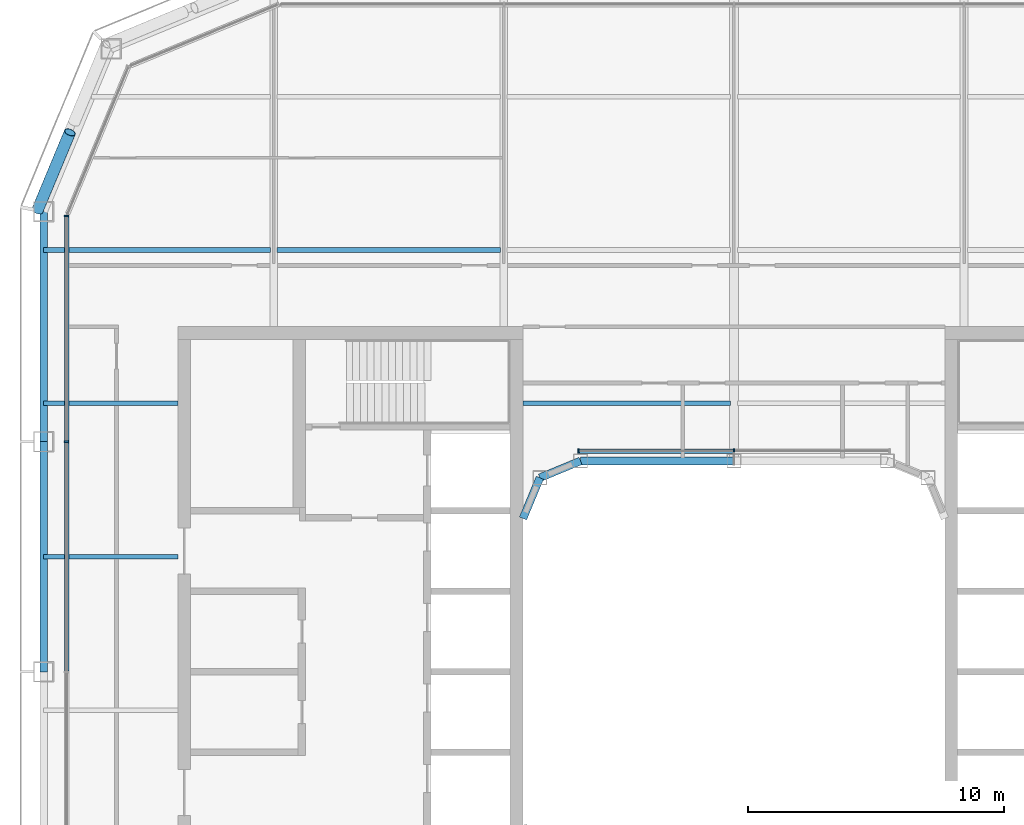
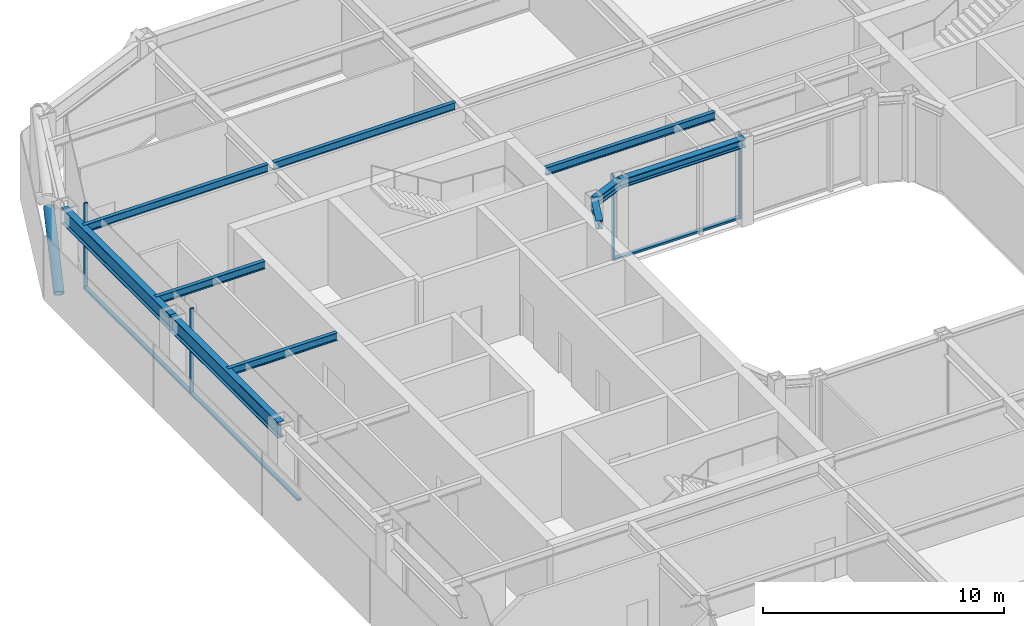
# One storey, part 6 of 19: 10 beams, 8 members, 2 elements without a shape of their own.
"""IFC4 building model written with IfcOpenShell, lengths in metres."""

from ifc_helpers import new_model, si_unit, direction, frame, origin, origin_2d, place, context, subcontext, project, spatial, rectangle, hollow_circle, i_section, extrude, material, layer, layer_set, material_profile, profile_set, type_object, element, aggregate, save


model = new_model("IFC4")

# Units and contexts
model_context = context("Model", 3, precision=1e-05, world=origin(), true_north=direction((0.0, 1.0)))
body_context = subcontext(model_context, "Body", "Model", "MODEL_VIEW")
ifc_project = project(units=[si_unit("LENGTHUNIT", "METRE"), si_unit("AREAUNIT", "SQUARE_METRE"), si_unit("VOLUMEUNIT", "CUBIC_METRE"), si_unit("PLANEANGLEUNIT", "RADIAN"), si_unit("MASSUNIT", "GRAM", prefix="KILO")], contexts=[model_context])

# Site, building, storey
site_placement = place(None, origin())
site = spatial("IfcSite", under=ifc_project, at=site_placement, CompositionType="ELEMENT")
building_placement = place(site_placement, origin())
building = spatial("IfcBuilding", under=site, at=building_placement, Name="Siwar Civic Tower", CompositionType="ELEMENT")
storey_placement = place(building_placement, frame((0.0, 0.0, 246.699951171875)))
storey = spatial("IfcBuildingStorey", under=building, at=storey_placement, Name="L53", CompositionType="ELEMENT", Elevation=246.699951171875)

# Curtain wall, members
ifc_material_1 = material(Name="Aluminium and glass", Category="aluminium")
ifc_layer_1 = layer(ifc_material_1, 0.179931640625)
ifc_layer_set_1 = layer_set([ifc_layer_1], Name="Aluminium and glass")
curtain_wall_type_1 = type_object("IfcCurtainWallType", Name="ENV-CW-C", PredefinedType="NOTDEFINED", material=ifc_layer_set_1)
curtain_wall_1_placement = place(storey_placement, origin())
curtain_wall_1 = element("IfcCurtainWall", 1, at=curtain_wall_1_placement, inside=storey, type_object=curtain_wall_type_1, Name="Curtain wall C W", PredefinedType="NOTDEFINED")
ifc_material_2 = material(Name="Aluminium 6063-T6", Category="aluminium")
ifc_material_profile_1 = material_profile(ifc_material_2, rectangle(XDim=0.179931640625, YDim=0.06005859375, at=origin_2d()), Name="AL 180x60")
ifc_profile_set_1 = profile_set([ifc_material_profile_1], Name="Aluminium 6063-T6")
member_type_1 = type_object("IfcMemberType", Name="ENV-MULLION-C", PredefinedType="MULLION", material=ifc_profile_set_1)
member_1_placement = place(storey_placement, frame((-26.10009765625, 17.821044921875, 0.0), z_axis=(0.0, 0.0, 1.0), x_axis=(1.0, 0.0, 0.0)))
member_1 = element("IfcMember", 2, at=member_1_placement, type_object=member_type_1, Name="Mullion C W 1", PredefinedType="MULLION", context=body_context, shape_type="SweptSolid", body=[
    extrude(rectangle(XDim=0.179931640625, YDim=0.06005859375, at=origin_2d()), origin(), (0.0, 0.0, 1.0), 4.35009765625),
])
member_2_placement = place(storey_placement, frame((-26.10009765625, 9.0, 0.0), z_axis=(0.0, 0.0, 1.0), x_axis=(1.0, 0.0, 0.0)))
member_2 = element("IfcMember", 3, at=member_2_placement, type_object=member_type_1, Name="Mullion C W 2", PredefinedType="MULLION", context=body_context, shape_type="SweptSolid", body=[
    extrude(rectangle(XDim=0.179931640625, YDim=0.06005859375, at=origin_2d()), origin(), (0.0, 0.0, 1.0), 4.35009765625),
])

ifc_material_3 = material(Name="Aluminium and glass", Category="aluminium")
ifc_layer_2 = layer(ifc_material_3, 0.179931640625)
ifc_layer_set_2 = layer_set([ifc_layer_2], Name="Aluminium and glass")
curtain_wall_type_2 = type_object("IfcCurtainWallType", Name="ENV-CW-W", PredefinedType="NOTDEFINED", material=ifc_layer_set_2)
curtain_wall_2_placement = place(storey_placement, origin())
curtain_wall_2 = element("IfcCurtainWall", 4, at=curtain_wall_2_placement, inside=storey, type_object=curtain_wall_type_2, Name="Curtain wall W WN", PredefinedType="NOTDEFINED")
ifc_material_4 = material(Name="Aluminium 6063-T6", Category="aluminium")
ifc_material_profile_2 = material_profile(ifc_material_4, rectangle(XDim=0.179931640625, YDim=0.06005859375, at=origin_2d()), Name="AL 180x60")
ifc_profile_set_2 = profile_set([ifc_material_profile_2], Name="Aluminium 6063-T6")
member_type_2 = type_object("IfcMemberType", Name="ENV-MULLION-W", PredefinedType="MULLION", material=ifc_profile_set_2)
member_3_placement = place(storey_placement, frame((0.0, 8.635009765625, 0.0), z_axis=(0.0, 0.0, 1.0), x_axis=(0.0, -1.0, 0.0)))
member_3 = element("IfcMember", 5, at=member_3_placement, type_object=member_type_2, Name="Mullion W WN 2", PredefinedType="MULLION", context=body_context, shape_type="SweptSolid", body=[
    extrude(rectangle(XDim=0.179931640625, YDim=0.06005859375, at=origin_2d()), origin(), (0.0, 0.0, 1.0), 4.35009765625),
])
member_4_placement = place(storey_placement, frame((-6.07666015625, 8.635009765625, 0.0), z_axis=(0.0, 0.0, 1.0), x_axis=(0.0, -1.0, 0.0)))
member_4 = element("IfcMember", 6, at=member_4_placement, type_object=member_type_2, Name="Mullion W WN 3", PredefinedType="MULLION", context=body_context, shape_type="SweptSolid", body=[
    extrude(rectangle(XDim=0.179931640625, YDim=0.06005859375, at=origin_2d()), origin(), (0.0, 0.0, 1.0), 4.35009765625),
])

# Member
ifc_material_5 = material(Name="Aluminium 6063-T6", Category="aluminium")
ifc_material_profile_3 = material_profile(ifc_material_5, rectangle(XDim=0.179931640625, YDim=0.10009765625, at=origin_2d()), Name="AL 180x100")
ifc_profile_set_3 = profile_set([ifc_material_profile_3], Name="Aluminium 6063-T6")
member_type_3 = type_object("IfcMemberType", Name="ENV-TRANSOM-C", PredefinedType="USERDEFINED", material=ifc_profile_set_3)
member_5_placement = place(storey_placement, frame((-26.10009765625, 17.791015625, 0.050048828125), z_axis=(0.0, -1.0, 0.0), x_axis=(1.0, 0.0, 0.0)))
member_5 = element("IfcMember", 7, at=member_5_placement, type_object=member_type_3, Name="Transom C W 1", ObjectType="TRANSOM", PredefinedType="USERDEFINED", context=body_context, shape_type="SweptSolid", body=[
    extrude(rectangle(XDim=0.179931640625, YDim=0.10009765625, at=origin_2d()), origin(), (0.0, 0.0, 1.0), 8.760986328125),
])

member_6_placement = place(storey_placement, frame((-26.10009765625, 8.969970703125, 0.050048828125), z_axis=(0.0, -1.0, 0.0), x_axis=(1.0, 0.0, 0.0)))
member_6 = element("IfcMember", 8, at=member_6_placement, type_object=member_type_3, Name="Transom C W 2", ObjectType="TRANSOM", PredefinedType="USERDEFINED", context=body_context, shape_type="SweptSolid", body=[
    extrude(rectangle(XDim=0.179931640625, YDim=0.10009765625, at=origin_2d()), origin(), (0.0, 0.0, 1.0), 8.93994140625),
])

aggregate(curtain_wall_1, [member_1, member_2, member_5, member_6])

ifc_material_6 = material(Name="Aluminium 6063-T6", Category="aluminium")
ifc_material_profile_4 = material_profile(ifc_material_6, rectangle(XDim=0.179931640625, YDim=0.10009765625, at=origin_2d()), Name="AL 180x100")
ifc_profile_set_4 = profile_set([ifc_material_profile_4], Name="Aluminium 6063-T6")
member_type_4 = type_object("IfcMemberType", Name="ENV-TRANSOM-W", PredefinedType="USERDEFINED", material=ifc_profile_set_4)
member_7_placement = place(storey_placement, frame((-0.030029296875, 8.635009765625, 0.050048828125), z_axis=(-1.0, 0.0, 0.0), x_axis=(0.0, -1.0, 0.0)))
member_7 = element("IfcMember", 9, at=member_7_placement, type_object=member_type_4, Name="Transom W WN 2", ObjectType="TRANSOM", PredefinedType="USERDEFINED", context=body_context, shape_type="SweptSolid", body=[
    extrude(rectangle(XDim=0.179931640625, YDim=0.10009765625, at=origin_2d()), origin(), (0.0, 0.0, 1.0), 6.0166015625),
])

aggregate(curtain_wall_2, [member_3, member_4, member_7])

ifc_material_7 = material(Name="Steel S355", Category="steel")
ifc_material_profile_5 = material_profile(ifc_material_7, hollow_circle(Radius=0.228515625, WallThickness=0.02001953125, at=origin_2d()), Name="CHS457x20")
ifc_profile_set_5 = profile_set([ifc_material_profile_5], Name="Steel S355")
member_type_5 = type_object("IfcMemberType", Name="STR-BR-CHS457x20", PredefinedType="BRACE", material=ifc_profile_set_5)
member_8_placement = place(storey_placement, frame((-27.2451171875, 18.048828125, 0.0), z_axis=(0.323884455881, 0.777546448489, 0.538999424564), x_axis=(-0.92311621485, 0.38452107079, 0.0)))
element("IfcMember", 10, at=member_8_placement, inside=storey, type_object=member_type_5, Name="L53/brc/CNW1-13-0-2", PredefinedType="BRACE", context=body_context, shape_type="SweptSolid", body=[
    extrude(hollow_circle(Radius=0.228515625, WallThickness=0.02001953125, at=origin_2d()), origin(), (0.0, 0.0, 1.0), 3.927978515625),
])

# Beams
ifc_material_8 = material(Name="Steel S355", Category="steel")
ifc_material_profile_6 = material_profile(ifc_material_8, i_section(OverallWidth=0.179931640625, OverallDepth=0.39990234375, WebThickness=0.008544921875, FlangeThickness=0.013427734375, FilletRadius=0.02099609375, at=origin_2d()), Name="IPE400")
ifc_profile_set_6 = profile_set([ifc_material_profile_6], Name="Steel S355")
beam_type_1 = type_object("IfcBeamType", Name="STR-FB-IPE400", PredefinedType="JOIST", material=ifc_profile_set_6)
for number, where, z_axis, x_axis, name in (
    (11, (-27.0, 4.5, 4.150146484375), (1.0, 0.0, 0.0), (0.0, 1.0, 0.0), "L53/bm/F025"),
    (12, (-27.0, 10.5, 4.150146484375), (1.0, 0.0, 0.0), (0.0, 1.0, 0.0), "L53/bm/F027"),
):
    element("IfcBeam", number, at=place(storey_placement, frame(where, z_axis=z_axis, x_axis=x_axis)), inside=storey, type_object=beam_type_1, Name=name, PredefinedType="JOIST", context=body_context, shape_type="SweptSolid", body=[
        extrude(i_section(OverallWidth=0.179931640625, OverallDepth=0.39990234375, WebThickness=0.008544921875, FlangeThickness=0.013427734375, FilletRadius=0.02099609375, at=origin_2d()), origin(), (0.0, 0.0, 1.0), 5.25),
    ])
beam_1_placement = place(storey_placement, frame((-8.25, 10.5, 4.150146484375), z_axis=(1.0, 0.0, 0.0), x_axis=(0.0, 1.0, 0.0)))
element("IfcBeam", 13, at=beam_1_placement, inside=storey, type_object=beam_type_1, Name="L53/bm/F028", PredefinedType="JOIST", context=body_context, shape_type="SweptSolid", body=[
    extrude(i_section(OverallWidth=0.179931640625, OverallDepth=0.39990234375, WebThickness=0.008544921875, FlangeThickness=0.013427734375, FilletRadius=0.02099609375, at=origin_2d()), origin(), (0.0, 0.0, 1.0), 8.1201171875),
])
beam_2_placement = place(storey_placement, frame((-27.0, 16.5, 4.150146484375), z_axis=(1.0, 0.0, 0.0), x_axis=(0.0, 1.0, 0.0)))
element("IfcBeam", 14, at=beam_2_placement, inside=storey, type_object=beam_type_1, Name="L53/bm/F031", PredefinedType="JOIST", context=body_context, shape_type="SweptSolid", body=[
    extrude(i_section(OverallWidth=0.179931640625, OverallDepth=0.39990234375, WebThickness=0.008544921875, FlangeThickness=0.013427734375, FilletRadius=0.02099609375, at=origin_2d()), origin(), (0.0, 0.0, 1.0), 8.8701171875),
])
beam_3_placement = place(storey_placement, frame((-17.8701171875, 16.5, 4.150146484375), z_axis=(1.0, 0.0, 0.0), x_axis=(0.0, 1.0, 0.0)))
element("IfcBeam", 15, at=beam_3_placement, inside=storey, type_object=beam_type_1, Name="L53/bm/F032", PredefinedType="JOIST", context=body_context, shape_type="SweptSolid", body=[
    extrude(i_section(OverallWidth=0.179931640625, OverallDepth=0.39990234375, WebThickness=0.008544921875, FlangeThickness=0.013427734375, FilletRadius=0.02099609375, at=origin_2d()), origin(), (0.0, 0.0, 1.0), 8.740234375),
])
ifc_material_9 = material(Name="Steel S355", Category="steel")
ifc_material_profile_7 = material_profile(ifc_material_9, i_section(OverallWidth=0.306884765625, OverallDepth=0.431884765625, WebThickness=0.02099609375, FlangeThickness=0.0400390625, FilletRadius=0.027099609375, at=origin_2d()), Name="HEM400")
ifc_profile_set_7 = profile_set([ifc_material_profile_7], Name="Steel S355")
beam_type_2 = type_object("IfcBeamType", Name="STR-RB-HEM400", PredefinedType="BEAM", material=ifc_profile_set_7)
beam_4_placement = place(storey_placement, frame((-7.591064453125, 7.591064453125, 4.134033203125), z_axis=(0.923901072997, 0.382631424892, 0.0), x_axis=(-0.382631424892, 0.923901072997, 0.0)))
element("IfcBeam", 16, at=beam_4_placement, inside=storey, type_object=beam_type_2, Name="L53/bm/RN0", PredefinedType="BEAM", context=body_context, shape_type="SweptSolid", body=[
    extrude(i_section(OverallWidth=0.306884765625, OverallDepth=0.431884765625, WebThickness=0.02099609375, FlangeThickness=0.0400390625, FilletRadius=0.027099609375, at=origin_2d()), origin(), (0.0, 0.0, 1.0), 1.72216796875),
])
beam_5_placement = place(storey_placement, frame((-6.0, 8.25, 4.134033203125), z_axis=(1.0, 0.0, 0.0), x_axis=(0.0, 1.0, 0.0)))
element("IfcBeam", 17, at=beam_5_placement, inside=storey, type_object=beam_type_2, Name="L53/bm/RN1", PredefinedType="BEAM", context=body_context, shape_type="SweptSolid", body=[
    extrude(i_section(OverallWidth=0.306884765625, OverallDepth=0.431884765625, WebThickness=0.02099609375, FlangeThickness=0.0400390625, FilletRadius=0.027099609375, at=origin_2d()), origin(), (0.0, 0.0, 1.0), 6.0),
])
beam_6_placement = place(storey_placement, frame((-7.591064453125, 7.591064453125, 4.134033203125), z_axis=(-0.382631424892, -0.923901072997, 0.0), x_axis=(0.923901072997, -0.382631424892, 0.0)))
element("IfcBeam", 18, at=beam_6_placement, inside=storey, type_object=beam_type_2, Name="L53/bm/RNEW", PredefinedType="BEAM", context=body_context, shape_type="SweptSolid", body=[
    extrude(i_section(OverallWidth=0.306884765625, OverallDepth=0.431884765625, WebThickness=0.02099609375, FlangeThickness=0.0400390625, FilletRadius=0.027099609375, at=origin_2d()), origin(), (0.0, 0.0, 1.0), 1.72216796875),
])
ifc_material_10 = material(Name="Steel S355", Category="steel")
ifc_material_profile_8 = material_profile(ifc_material_10, i_section(OverallWidth=0.300048828125, OverallDepth=0.800048828125, WebThickness=0.017578125, FlangeThickness=0.032958984375, FilletRadius=0.030029296875, at=origin_2d()), Name="HEB800")
ifc_profile_set_8 = profile_set([ifc_material_profile_8], Name="Steel S355")
beam_type_3 = type_object("IfcBeamType", Name="STR-SB-HEB800", PredefinedType="BEAM", material=ifc_profile_set_8)
for number, where, z_axis, x_axis, name in (
    (19, (-27.0, 18.0, 3.949951171875), (0.0, -1.0, 0.0), (1.0, 0.0, 0.0), "L53/bm/SW-0"),
    (20, (-27.0, 9.0, 3.949951171875), (0.0, -1.0, 0.0), (1.0, 0.0, 0.0), "L53/bm/SW-1"),
):
    element("IfcBeam", number, at=place(storey_placement, frame(where, z_axis=z_axis, x_axis=x_axis)), inside=storey, type_object=beam_type_3, Name=name, PredefinedType="BEAM", context=body_context, shape_type="SweptSolid", body=[
        extrude(i_section(OverallWidth=0.300048828125, OverallDepth=0.800048828125, WebThickness=0.017578125, FlangeThickness=0.032958984375, FilletRadius=0.030029296875, at=origin_2d()), origin(), (0.0, 0.0, 1.0), 9.0),
    ])

save(model, "model.ifc")
